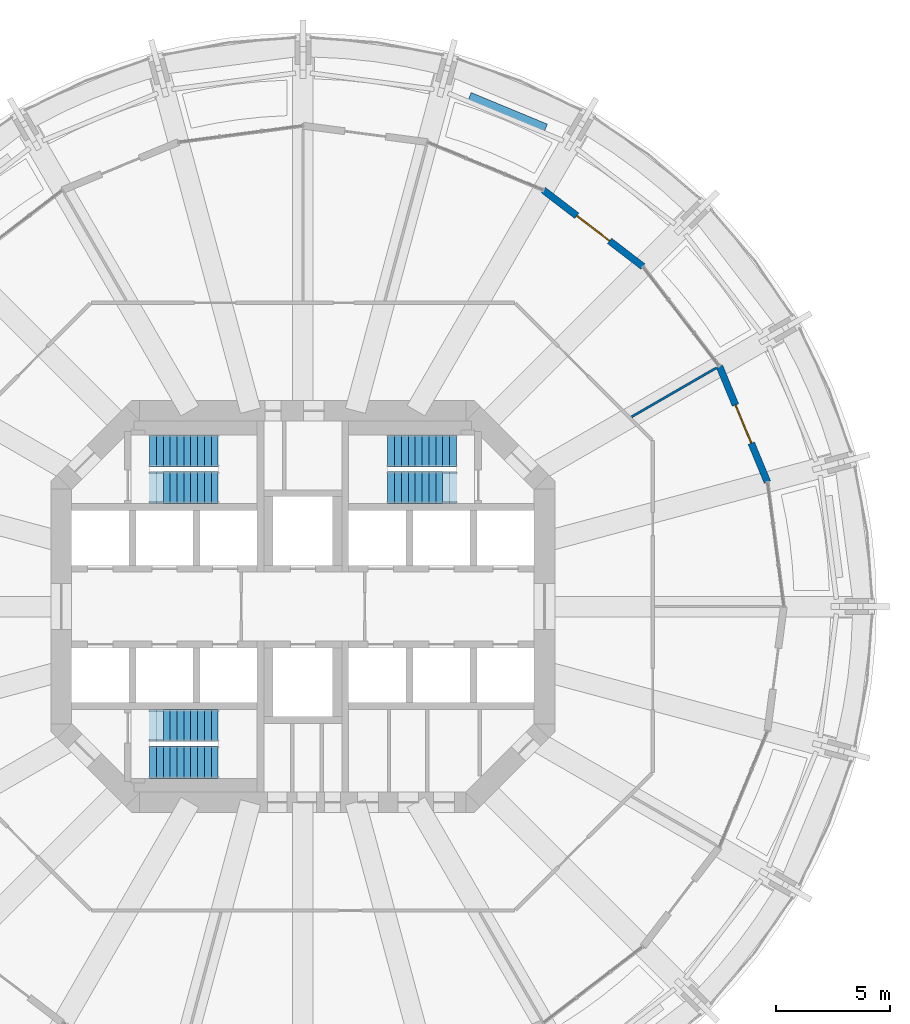
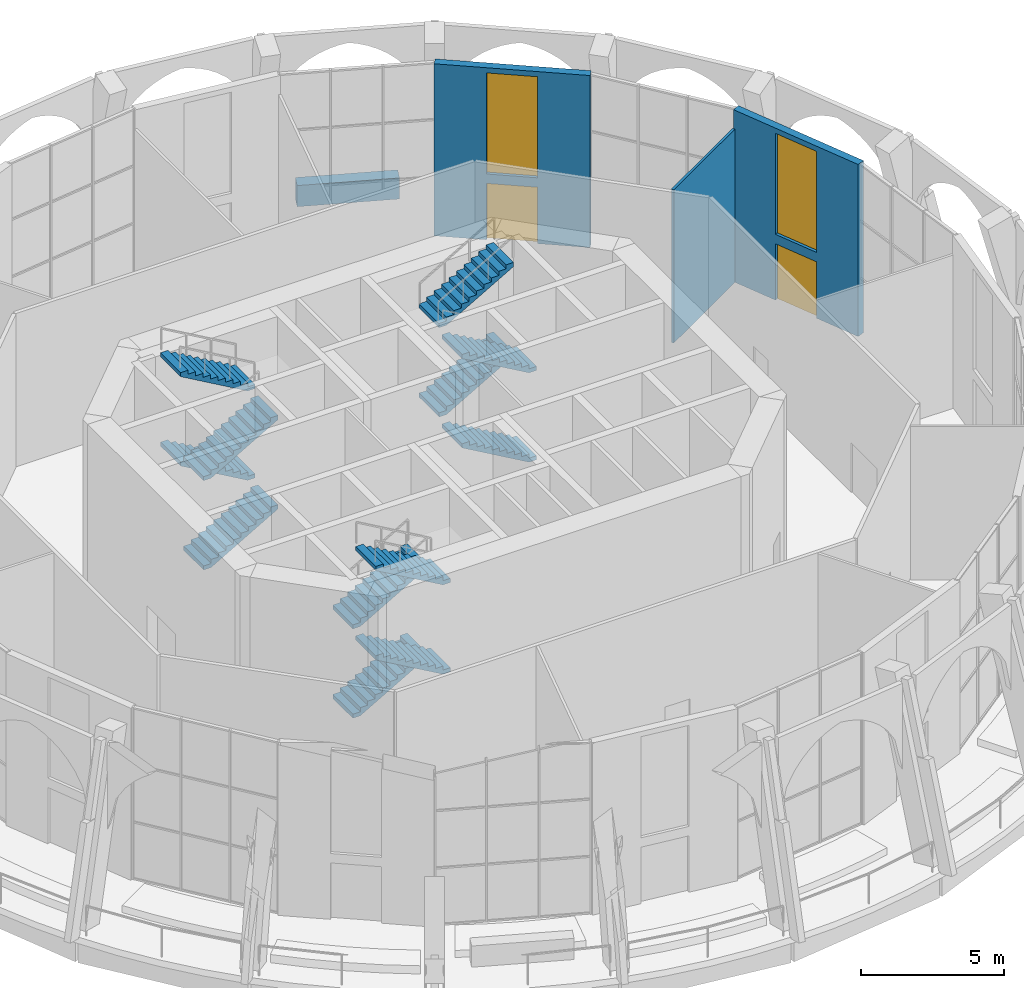
# One storey, part 15 of 18: 12 stair flights, 4 walls, 2 doors, 2 windows, 4 openings, 3 elements without a shape of their own.
"""IFC4 building model written with IfcOpenShell, lengths in metres."""

from ifc_helpers import new_model, si_unit, direction, frame, frame_2d, origin, place, context, subcontext, project, spatial, polyline, rectangle, outline, extrude, material, layer, layer_set, type_object, element, fill, aggregate, save


model = new_model("IFC4")

# Units and contexts
model_context = context("Model", 3, precision=1e-05, world=origin(), true_north=direction((0.0, 1.0)))
body_context = subcontext(model_context, "Body", "Model", "MODEL_VIEW")
ifc_project = project(units=[si_unit("LENGTHUNIT", "METRE"), si_unit("AREAUNIT", "SQUARE_METRE"), si_unit("VOLUMEUNIT", "CUBIC_METRE"), si_unit("PLANEANGLEUNIT", "RADIAN"), si_unit("MASSUNIT", "GRAM", prefix="KILO")], contexts=[model_context])

# Site, building, storey
site_placement = place(None, origin())
site = spatial("IfcSite", under=ifc_project, at=site_placement, CompositionType="ELEMENT")
building_placement = place(site_placement, origin())
building = spatial("IfcBuilding", under=site, at=building_placement, Name="Torre Triforio", CompositionType="ELEMENT")
storey_placement = place(building_placement, frame((0.0, 0.0, 146.60009765625)))
storey = spatial("IfcBuildingStorey", under=building, at=storey_placement, Name="L33", CompositionType="ELEMENT", Elevation=146.60009765625)

# Walls
ifc_material_1 = material(Name="Plasterboard on metal studs")
ifc_layer_1 = layer(ifc_material_1, 0.10009765625)
ifc_layer_set_1 = layer_set([ifc_layer_1], Name="Plasterboard on metal studs")
wall_type_1 = type_object("IfcWallType", Name="Partition 100 mm board on metal studs", PredefinedType="PARTITIONING", material=ifc_layer_set_1)
wall_1_placement = place(storey_placement, frame((14.356201171875, 8.28857421875, 0.0), z_axis=(0.0, 0.0, 1.0), x_axis=(0.866019511163, 0.500010206181, 0.0)))
element("IfcWall", 1, at=wall_1_placement, inside=storey, type_object=wall_type_1, Name="Partition 10", PredefinedType="PARTITIONING", context=body_context, shape_type="SweptSolid", body=[
    extrude(rectangle(XDim=4.259765625, YDim=0.10009765625, at=frame_2d((2.1298828125, 0.0))), origin(), (0.0, 0.0, 1.0), 6.52001953125),
])
ifc_material_2 = material(Name="Limestone cladding", Category="masonry")
ifc_layer_2 = layer(ifc_material_2, 0.10009765625)
ifc_material_3 = material(Name="Concrete C40", Category="concrete")
ifc_layer_3 = layer(ifc_material_3, 0.39990234375)
ifc_layer_set_2 = layer_set([ifc_layer_2, ifc_layer_3], Name="Limestone cladding / Concrete C40")
wall_type_2 = type_object("IfcWallType", Name="Planter wall 500", PredefinedType="PARAPET", material=ifc_layer_set_2)
wall_2_placement = place(storey_placement, frame((10.57958984375, 20.837646484375, 0.0), z_axis=(0.0, 0.0, 1.0), x_axis=(-0.923909393783, 0.382611332921, 0.0)))
element("IfcWall", 2, at=wall_2_placement, inside=storey, type_object=wall_type_2, Name="Planter L33 bay 05", PredefinedType="PARAPET", context=body_context, shape_type="SweptSolid", body=[
    extrude(rectangle(XDim=3.60009765625, YDim=0.5, at=frame_2d((1.800048828125, 0.0))), origin(), (0.0, 0.0, 1.0), 0.89990234375),
])

# Wall, openings, window, door
ifc_layer_4 = layer(ifc_material_2, 0.10009765625)
ifc_layer_5 = layer(ifc_material_3, 0.199951171875)
ifc_layer_set_3 = layer_set([ifc_layer_4, ifc_layer_5], Name="Limestone cladding / Concrete C40")
wall_type_3 = type_object("IfcWallType", Name="Stone-faced composite wall 300", PredefinedType="STANDARD", material=ifc_layer_set_3)
wall_3_placement = place(storey_placement, frame((20.284423828125, 5.435302734375, 0.0), z_axis=(0.0, 0.0, 1.0), x_axis=(-0.382688740813, 0.923877333662, 0.0)))
wall_3 = element("IfcWall", 3, at=wall_3_placement, inside=storey, type_object=wall_type_3, Name="External wall L33 bay 02", PredefinedType="STANDARD", context=body_context, shape_type="SweptSolid", body=[
    extrude(rectangle(XDim=5.48193359375, YDim=0.300048828125, at=frame_2d((2.740966796875, 0.0))), origin(), (0.0, 0.0, 1.0), 7.31982421875),
])
opening_1_placement = place(wall_3_placement, frame((1.841064453125, 0.0, 0.0)))
opening_1 = element("IfcOpeningElement", 4, at=opening_1_placement, cuts=wall_3, Name="Opening G2-D02", PredefinedType="OPENING", context=body_context, shape_type="SweptSolid", body=[
    extrude(rectangle(XDim=1.800048828125, YDim=2.39990234375, at=frame_2d((0.89990234375, 1.199951171875))), frame((0.0, 0.159912109375, 0.0), z_axis=(0.0, -1.0, 0.0), x_axis=(1.0, 0.0, 0.0)), (0.0, 0.0, 1.0), 0.320068359375),
])
opening_2_placement = place(wall_3_placement, frame((1.841064453125, 0.0, 2.800048828125)))
opening_2 = element("IfcOpeningElement", 5, at=opening_2_placement, cuts=wall_3, Name="Opening G2-W02", PredefinedType="OPENING", context=body_context, shape_type="SweptSolid", body=[
    extrude(rectangle(XDim=1.800048828125, YDim=4.300048828125, at=frame_2d((0.89990234375, 2.14990234375))), frame((0.0, 0.159912109375, 0.0), z_axis=(0.0, -1.0, 0.0), x_axis=(1.0, 0.0, 0.0)), (0.0, 0.0, 1.0), 0.320068359375),
])
ifc_material_4 = material(Name="Aluminium frame with clear double glazing", Category="aluminium")
window_type = type_object("IfcWindowType", Name="Garden clerestory window 1800 x 4300", PartitioningType="DOUBLE_PANEL_VERTICAL", PredefinedType="WINDOW", material=ifc_material_4)
window_1_placement = place(opening_2_placement, origin())
window_1 = element("IfcWindow", 6, at=window_1_placement, inside=storey, type_object=window_type, Name="Clerestory EWN21 L33 bay 02", OverallHeight=4.300048828125, OverallWidth=1.800048828125, PartitioningType="SINGLE_PANEL", PredefinedType="WINDOW", context=body_context, shape_type="SweptSolid", body=[
    extrude(rectangle(XDim=1.800048828125, YDim=4.300048828125, at=frame_2d((0.89990234375, 2.14990234375))), frame((0.0, 0.030029296875, 0.0), z_axis=(0.0, -1.0, 0.0), x_axis=(1.0, 0.0, 0.0)), (0.0, 0.0, 1.0), 0.06005859375),
])
fill(opening_2, window_1)
door_type = type_object("IfcDoorType", Name="Terrace double door 1800 x 2400", OperationType="DOUBLE_DOOR_SINGLE_SWING", PredefinedType="DOOR", material=ifc_material_4)
door_1_placement = place(opening_1_placement, origin())
door_1 = element("IfcDoor", 7, at=door_1_placement, inside=storey, type_object=door_type, Name="Terrace door L33 bay 02", OperationType="SINGLE_SWING_LEFT", OverallHeight=2.39990234375, OverallWidth=1.800048828125, PredefinedType="DOOR", context=body_context, shape_type="SweptSolid", body=[
    extrude(rectangle(XDim=1.800048828125, YDim=2.39990234375, at=frame_2d((0.89990234375, 1.199951171875))), frame((0.0, 0.02490234375, 0.0), z_axis=(0.0, -1.0, 0.0), x_axis=(1.0, 0.0, 0.0)), (0.0, 0.0, 1.0), 0.050048828125),
])
fill(opening_1, door_1)

wall_4_placement = place(storey_placement, frame((14.84912109375, 14.84912109375, 0.0), z_axis=(0.0, 0.0, 1.0), x_axis=(-0.793335336593, 0.608784891166, 0.0)))
wall_4 = element("IfcWall", 8, at=wall_4_placement, inside=storey, type_object=wall_type_3, Name="External wall L33 bay 04", PredefinedType="STANDARD", context=body_context, shape_type="SweptSolid", body=[
    extrude(rectangle(XDim=5.482177734375, YDim=0.300048828125, at=frame_2d((2.7412109375, 0.0))), origin(), (0.0, 0.0, 1.0), 7.31982421875),
])
opening_3_placement = place(wall_4_placement, frame((1.841064453125, 0.0, 0.0)))
opening_3 = element("IfcOpeningElement", 9, at=opening_3_placement, cuts=wall_4, Name="Opening G2-D04", PredefinedType="OPENING", context=body_context, shape_type="SweptSolid", body=[
    extrude(rectangle(XDim=1.800048828125, YDim=2.39990234375, at=frame_2d((0.89990234375, 1.199951171875))), frame((0.0, 0.159912109375, 0.0), z_axis=(0.0, -1.0, 0.0), x_axis=(1.0, 0.0, 0.0)), (0.0, 0.0, 1.0), 0.320068359375),
])
opening_4_placement = place(wall_4_placement, frame((1.841064453125, 0.0, 2.800048828125)))
opening_4 = element("IfcOpeningElement", 10, at=opening_4_placement, cuts=wall_4, Name="Opening G2-W04", PredefinedType="OPENING", context=body_context, shape_type="SweptSolid", body=[
    extrude(rectangle(XDim=1.800048828125, YDim=4.300048828125, at=frame_2d((0.89990234375, 2.14990234375))), frame((0.0, 0.159912109375, 0.0), z_axis=(0.0, -1.0, 0.0), x_axis=(1.0, 0.0, 0.0)), (0.0, 0.0, 1.0), 0.320068359375),
])
window_2_placement = place(opening_4_placement, origin())
window_2 = element("IfcWindow", 11, at=window_2_placement, inside=storey, type_object=window_type, Name="Clerestory EWN21 L33 bay 04", OverallHeight=4.300048828125, OverallWidth=1.800048828125, PartitioningType="SINGLE_PANEL", PredefinedType="WINDOW", context=body_context, shape_type="SweptSolid", body=[
    extrude(rectangle(XDim=1.800048828125, YDim=4.300048828125, at=frame_2d((0.89990234375, 2.14990234375))), frame((0.0, 0.030029296875, 0.0), z_axis=(0.0, -1.0, 0.0), x_axis=(1.0, 0.0, 0.0)), (0.0, 0.0, 1.0), 0.06005859375),
])
fill(opening_4, window_2)
door_2_placement = place(opening_3_placement, origin())
door_2 = element("IfcDoor", 12, at=door_2_placement, inside=storey, type_object=door_type, Name="Terrace door L33 bay 04", OperationType="SINGLE_SWING_LEFT", OverallHeight=2.39990234375, OverallWidth=1.800048828125, PredefinedType="DOOR", context=body_context, shape_type="SweptSolid", body=[
    extrude(rectangle(XDim=1.800048828125, YDim=2.39990234375, at=frame_2d((0.89990234375, 1.199951171875))), frame((0.0, 0.02490234375, 0.0), z_axis=(0.0, -1.0, 0.0), x_axis=(1.0, 0.0, 0.0)), (0.0, 0.0, 1.0), 0.050048828125),
])
fill(opening_3, door_2)

# Stair, stair flights
stair_type = type_object("IfcStairType", Name="STAIR DOUBLE RETURN", PredefinedType="DOUBLE_RETURN_STAIR", material=ifc_material_3)
stair_1_placement = place(storey_placement, origin())
stair_1 = element("IfcStair", 13, at=stair_1_placement, inside=storey, type_object=stair_type, Name="Exit stair 1", PredefinedType="DOUBLE_RETURN_STAIR")
stair_flight_type = type_object("IfcStairFlightType", Name="STAIR FLIGHT 1400", PredefinedType="STRAIGHT", material=ifc_material_3)
stair_flight_1_placement = place(storey_placement, frame((-6.699951171875, 5.199951171875, 0.0), z_axis=(0.0, 0.0, 1.0), x_axis=(1.0, 0.0, 0.0)))
stair_flight_1 = element("IfcStairFlight", 14, at=stair_flight_1_placement, type_object=stair_flight_type, Name="ST1 flight 1", NumberOfRisers=11, NumberOfTreads=10, PredefinedType="STRAIGHT", RiserHeight=0.172727273, TreadLength=0.3, context=body_context, shape_type="SweptSolid", body=[
    extrude(outline(polyline([(0.0, 0.0), (0.0, 0.172607421875), (0.300048828125, 0.172607421875), (0.300048828125, 0.345458984375), (0.60009765625, 0.345458984375), (0.60009765625, 0.51806640625), (0.89990234375, 0.51806640625), (0.89990234375, 0.69091796875), (1.199951171875, 0.69091796875), (1.199951171875, 0.863525390625), (1.5, 0.863525390625), (1.5, 1.036376953125), (1.800048828125, 1.036376953125), (1.800048828125, 1.208984375), (2.10009765625, 1.208984375), (2.10009765625, 1.3818359375), (2.39990234375, 1.3818359375), (2.39990234375, 1.554443359375), (2.699951171875, 1.554443359375), (2.699951171875, 1.727294921875), (3.0, 1.727294921875), (3.0, 1.89990234375), (3.0, 1.55419921875), (0.300537109375, 0.0), (0.0, 0.0)])), frame((0.0, 0.699951171875, 0.0), z_axis=(0.0, -1.0, 0.0), x_axis=(1.0, 0.0, 0.0)), (0.0, 0.0, 1.0), 1.39990234375),
])
stair_flight_2_placement = place(storey_placement, frame((-3.699951171875, 6.800048828125, 1.89990234375), z_axis=(0.0, 0.0, 1.0), x_axis=(-1.0, 0.0, 0.0)))
stair_flight_2 = element("IfcStairFlight", 15, at=stair_flight_2_placement, type_object=stair_flight_type, Name="ST1 flight 2", NumberOfRisers=11, NumberOfTreads=10, PredefinedType="STRAIGHT", RiserHeight=0.172727273, TreadLength=0.3, context=body_context, shape_type="SweptSolid", body=[
    extrude(outline(polyline([(0.0, 0.0), (0.0, 0.172607421875), (0.300048828125, 0.172607421875), (0.300048828125, 0.345458984375), (0.60009765625, 0.345458984375), (0.60009765625, 0.51806640625), (0.89990234375, 0.51806640625), (0.89990234375, 0.69091796875), (1.199951171875, 0.69091796875), (1.199951171875, 0.863525390625), (1.5, 0.863525390625), (1.5, 1.036376953125), (1.800048828125, 1.036376953125), (1.800048828125, 1.208984375), (2.10009765625, 1.208984375), (2.10009765625, 1.3818359375), (2.39990234375, 1.3818359375), (2.39990234375, 1.554443359375), (2.699951171875, 1.554443359375), (2.699951171875, 1.727294921875), (3.0, 1.727294921875), (3.0, 1.89990234375), (3.0, 1.55419921875), (0.300537109375, 0.0), (0.0, 0.0)])), frame((0.0, 0.699951171875, 0.0), z_axis=(0.0, -1.0, 0.0), x_axis=(1.0, 0.0, 0.0)), (0.0, 0.0, 1.0), 1.39990234375),
])
stair_flight_3_placement = place(storey_placement, frame((-6.699951171875, 5.199951171875, 3.7998046875), z_axis=(0.0, 0.0, 1.0), x_axis=(1.0, 0.0, 0.0)))
stair_flight_3 = element("IfcStairFlight", 16, at=stair_flight_3_placement, type_object=stair_flight_type, Name="ST1 flight 3", NumberOfRisers=11, NumberOfTreads=10, PredefinedType="STRAIGHT", RiserHeight=0.172727273, TreadLength=0.3, context=body_context, shape_type="SweptSolid", body=[
    extrude(outline(polyline([(0.0, 0.0), (0.0, 0.172607421875), (0.300048828125, 0.172607421875), (0.300048828125, 0.345458984375), (0.60009765625, 0.345458984375), (0.60009765625, 0.51806640625), (0.89990234375, 0.51806640625), (0.89990234375, 0.69091796875), (1.199951171875, 0.69091796875), (1.199951171875, 0.863525390625), (1.5, 0.863525390625), (1.5, 1.036376953125), (1.800048828125, 1.036376953125), (1.800048828125, 1.208984375), (2.10009765625, 1.208984375), (2.10009765625, 1.3818359375), (2.39990234375, 1.3818359375), (2.39990234375, 1.554443359375), (2.699951171875, 1.554443359375), (2.699951171875, 1.727294921875), (3.0, 1.727294921875), (3.0, 1.89990234375), (3.0, 1.55419921875), (0.300537109375, 0.0), (0.0, 0.0)])), frame((0.0, 0.699951171875, 0.0), z_axis=(0.0, -1.0, 0.0), x_axis=(1.0, 0.0, 0.0)), (0.0, 0.0, 1.0), 1.39990234375),
])
stair_flight_4_placement = place(storey_placement, frame((-3.699951171875, 6.800048828125, 5.699951171875), z_axis=(0.0, 0.0, 1.0), x_axis=(-1.0, 0.0, 0.0)))
stair_flight_4 = element("IfcStairFlight", 17, at=stair_flight_4_placement, type_object=stair_flight_type, Name="ST1 flight 4", NumberOfRisers=11, NumberOfTreads=10, PredefinedType="STRAIGHT", RiserHeight=0.172727273, TreadLength=0.3, context=body_context, shape_type="SweptSolid", body=[
    extrude(outline(polyline([(0.0, 0.0), (0.0, 0.172607421875), (0.300048828125, 0.172607421875), (0.300048828125, 0.345458984375), (0.60009765625, 0.345458984375), (0.60009765625, 0.51806640625), (0.89990234375, 0.51806640625), (0.89990234375, 0.69091796875), (1.199951171875, 0.69091796875), (1.199951171875, 0.863525390625), (1.5, 0.863525390625), (1.5, 1.036376953125), (1.800048828125, 1.036376953125), (1.800048828125, 1.208984375), (2.10009765625, 1.208984375), (2.10009765625, 1.3818359375), (2.39990234375, 1.3818359375), (2.39990234375, 1.554443359375), (2.699951171875, 1.554443359375), (2.699951171875, 1.727294921875), (3.0, 1.727294921875), (3.0, 1.89990234375), (3.0, 1.55419921875), (0.300537109375, 0.0), (0.0, 0.0)])), frame((0.0, 0.699951171875, 0.0), z_axis=(0.0, -1.0, 0.0), x_axis=(1.0, 0.0, 0.0)), (0.0, 0.0, 1.0), 1.39990234375),
])
aggregate(stair_1, [stair_flight_1, stair_flight_2, stair_flight_3, stair_flight_4])

stair_2_placement = place(storey_placement, origin())
stair_2 = element("IfcStair", 18, at=stair_2_placement, inside=storey, type_object=stair_type, Name="Exit stair 2", PredefinedType="DOUBLE_RETURN_STAIR")
stair_flight_5_placement = place(storey_placement, frame((6.699951171875, 5.199951171875, 0.0), z_axis=(0.0, 0.0, 1.0), x_axis=(-1.0, 0.0, 0.0)))
stair_flight_5 = element("IfcStairFlight", 19, at=stair_flight_5_placement, type_object=stair_flight_type, Name="ST2 flight 1", NumberOfRisers=11, NumberOfTreads=10, PredefinedType="STRAIGHT", RiserHeight=0.172727273, TreadLength=0.3, context=body_context, shape_type="SweptSolid", body=[
    extrude(outline(polyline([(0.0, 0.0), (0.0, 0.172607421875), (0.300048828125, 0.172607421875), (0.300048828125, 0.345458984375), (0.60009765625, 0.345458984375), (0.60009765625, 0.51806640625), (0.89990234375, 0.51806640625), (0.89990234375, 0.69091796875), (1.199951171875, 0.69091796875), (1.199951171875, 0.863525390625), (1.5, 0.863525390625), (1.5, 1.036376953125), (1.800048828125, 1.036376953125), (1.800048828125, 1.208984375), (2.10009765625, 1.208984375), (2.10009765625, 1.3818359375), (2.39990234375, 1.3818359375), (2.39990234375, 1.554443359375), (2.699951171875, 1.554443359375), (2.699951171875, 1.727294921875), (3.0, 1.727294921875), (3.0, 1.89990234375), (3.0, 1.55419921875), (0.300537109375, 0.0), (0.0, 0.0)])), frame((0.0, 0.699951171875, 0.0), z_axis=(0.0, -1.0, 0.0), x_axis=(1.0, 0.0, 0.0)), (0.0, 0.0, 1.0), 1.39990234375),
])
stair_flight_6_placement = place(storey_placement, frame((3.699951171875, 6.800048828125, 1.89990234375), z_axis=(0.0, 0.0, 1.0), x_axis=(1.0, 0.0, 0.0)))
stair_flight_6 = element("IfcStairFlight", 20, at=stair_flight_6_placement, type_object=stair_flight_type, Name="ST2 flight 2", NumberOfRisers=11, NumberOfTreads=10, PredefinedType="STRAIGHT", RiserHeight=0.172727273, TreadLength=0.3, context=body_context, shape_type="SweptSolid", body=[
    extrude(outline(polyline([(0.0, 0.0), (0.0, 0.172607421875), (0.300048828125, 0.172607421875), (0.300048828125, 0.345458984375), (0.60009765625, 0.345458984375), (0.60009765625, 0.51806640625), (0.89990234375, 0.51806640625), (0.89990234375, 0.69091796875), (1.199951171875, 0.69091796875), (1.199951171875, 0.863525390625), (1.5, 0.863525390625), (1.5, 1.036376953125), (1.800048828125, 1.036376953125), (1.800048828125, 1.208984375), (2.10009765625, 1.208984375), (2.10009765625, 1.3818359375), (2.39990234375, 1.3818359375), (2.39990234375, 1.554443359375), (2.699951171875, 1.554443359375), (2.699951171875, 1.727294921875), (3.0, 1.727294921875), (3.0, 1.89990234375), (3.0, 1.55419921875), (0.300537109375, 0.0), (0.0, 0.0)])), frame((0.0, 0.699951171875, 0.0), z_axis=(0.0, -1.0, 0.0), x_axis=(1.0, 0.0, 0.0)), (0.0, 0.0, 1.0), 1.39990234375),
])
stair_flight_7_placement = place(storey_placement, frame((6.699951171875, 5.199951171875, 3.7998046875), z_axis=(0.0, 0.0, 1.0), x_axis=(-1.0, 0.0, 0.0)))
stair_flight_7 = element("IfcStairFlight", 21, at=stair_flight_7_placement, type_object=stair_flight_type, Name="ST2 flight 3", NumberOfRisers=11, NumberOfTreads=10, PredefinedType="STRAIGHT", RiserHeight=0.172727273, TreadLength=0.3, context=body_context, shape_type="SweptSolid", body=[
    extrude(outline(polyline([(0.0, 0.0), (0.0, 0.172607421875), (0.300048828125, 0.172607421875), (0.300048828125, 0.345458984375), (0.60009765625, 0.345458984375), (0.60009765625, 0.51806640625), (0.89990234375, 0.51806640625), (0.89990234375, 0.69091796875), (1.199951171875, 0.69091796875), (1.199951171875, 0.863525390625), (1.5, 0.863525390625), (1.5, 1.036376953125), (1.800048828125, 1.036376953125), (1.800048828125, 1.208984375), (2.10009765625, 1.208984375), (2.10009765625, 1.3818359375), (2.39990234375, 1.3818359375), (2.39990234375, 1.554443359375), (2.699951171875, 1.554443359375), (2.699951171875, 1.727294921875), (3.0, 1.727294921875), (3.0, 1.89990234375), (3.0, 1.55419921875), (0.300537109375, 0.0), (0.0, 0.0)])), frame((0.0, 0.699951171875, 0.0), z_axis=(0.0, -1.0, 0.0), x_axis=(1.0, 0.0, 0.0)), (0.0, 0.0, 1.0), 1.39990234375),
])
stair_flight_8_placement = place(storey_placement, frame((3.699951171875, 6.800048828125, 5.699951171875), z_axis=(0.0, 0.0, 1.0), x_axis=(1.0, 0.0, 0.0)))
stair_flight_8 = element("IfcStairFlight", 22, at=stair_flight_8_placement, type_object=stair_flight_type, Name="ST2 flight 4", NumberOfRisers=11, NumberOfTreads=10, PredefinedType="STRAIGHT", RiserHeight=0.172727273, TreadLength=0.3, context=body_context, shape_type="SweptSolid", body=[
    extrude(outline(polyline([(0.0, 0.0), (0.0, 0.172607421875), (0.300048828125, 0.172607421875), (0.300048828125, 0.345458984375), (0.60009765625, 0.345458984375), (0.60009765625, 0.51806640625), (0.89990234375, 0.51806640625), (0.89990234375, 0.69091796875), (1.199951171875, 0.69091796875), (1.199951171875, 0.863525390625), (1.5, 0.863525390625), (1.5, 1.036376953125), (1.800048828125, 1.036376953125), (1.800048828125, 1.208984375), (2.10009765625, 1.208984375), (2.10009765625, 1.3818359375), (2.39990234375, 1.3818359375), (2.39990234375, 1.554443359375), (2.699951171875, 1.554443359375), (2.699951171875, 1.727294921875), (3.0, 1.727294921875), (3.0, 1.89990234375), (3.0, 1.55419921875), (0.300537109375, 0.0), (0.0, 0.0)])), frame((0.0, 0.699951171875, 0.0), z_axis=(0.0, -1.0, 0.0), x_axis=(1.0, 0.0, 0.0)), (0.0, 0.0, 1.0), 1.39990234375),
])
aggregate(stair_2, [stair_flight_5, stair_flight_6, stair_flight_7, stair_flight_8])

stair_3_placement = place(storey_placement, origin())
stair_3 = element("IfcStair", 23, at=stair_3_placement, inside=storey, type_object=stair_type, Name="Exit stair 3", PredefinedType="DOUBLE_RETURN_STAIR")
stair_flight_9_placement = place(storey_placement, frame((-6.699951171875, -5.199951171875, 0.0), z_axis=(0.0, 0.0, 1.0), x_axis=(1.0, 0.0, 0.0)))
stair_flight_9 = element("IfcStairFlight", 24, at=stair_flight_9_placement, type_object=stair_flight_type, Name="ST3 flight 1", NumberOfRisers=11, NumberOfTreads=10, PredefinedType="STRAIGHT", RiserHeight=0.172727273, TreadLength=0.3, context=body_context, shape_type="SweptSolid", body=[
    extrude(outline(polyline([(0.0, 0.0), (0.0, 0.172607421875), (0.300048828125, 0.172607421875), (0.300048828125, 0.345458984375), (0.60009765625, 0.345458984375), (0.60009765625, 0.51806640625), (0.89990234375, 0.51806640625), (0.89990234375, 0.69091796875), (1.199951171875, 0.69091796875), (1.199951171875, 0.863525390625), (1.5, 0.863525390625), (1.5, 1.036376953125), (1.800048828125, 1.036376953125), (1.800048828125, 1.208984375), (2.10009765625, 1.208984375), (2.10009765625, 1.3818359375), (2.39990234375, 1.3818359375), (2.39990234375, 1.554443359375), (2.699951171875, 1.554443359375), (2.699951171875, 1.727294921875), (3.0, 1.727294921875), (3.0, 1.89990234375), (3.0, 1.55419921875), (0.300537109375, 0.0), (0.0, 0.0)])), frame((0.0, 0.699951171875, 0.0), z_axis=(0.0, -1.0, 0.0), x_axis=(1.0, 0.0, 0.0)), (0.0, 0.0, 1.0), 1.39990234375),
])
stair_flight_10_placement = place(storey_placement, frame((-3.699951171875, -6.800048828125, 1.89990234375), z_axis=(0.0, 0.0, 1.0), x_axis=(-1.0, 0.0, 0.0)))
stair_flight_10 = element("IfcStairFlight", 25, at=stair_flight_10_placement, type_object=stair_flight_type, Name="ST3 flight 2", NumberOfRisers=11, NumberOfTreads=10, PredefinedType="STRAIGHT", RiserHeight=0.172727273, TreadLength=0.3, context=body_context, shape_type="SweptSolid", body=[
    extrude(outline(polyline([(0.0, 0.0), (0.0, 0.172607421875), (0.300048828125, 0.172607421875), (0.300048828125, 0.345458984375), (0.60009765625, 0.345458984375), (0.60009765625, 0.51806640625), (0.89990234375, 0.51806640625), (0.89990234375, 0.69091796875), (1.199951171875, 0.69091796875), (1.199951171875, 0.863525390625), (1.5, 0.863525390625), (1.5, 1.036376953125), (1.800048828125, 1.036376953125), (1.800048828125, 1.208984375), (2.10009765625, 1.208984375), (2.10009765625, 1.3818359375), (2.39990234375, 1.3818359375), (2.39990234375, 1.554443359375), (2.699951171875, 1.554443359375), (2.699951171875, 1.727294921875), (3.0, 1.727294921875), (3.0, 1.89990234375), (3.0, 1.55419921875), (0.300537109375, 0.0), (0.0, 0.0)])), frame((0.0, 0.699951171875, 0.0), z_axis=(0.0, -1.0, 0.0), x_axis=(1.0, 0.0, 0.0)), (0.0, 0.0, 1.0), 1.39990234375),
])
stair_flight_11_placement = place(storey_placement, frame((-6.699951171875, -5.199951171875, 3.7998046875), z_axis=(0.0, 0.0, 1.0), x_axis=(1.0, 0.0, 0.0)))
stair_flight_11 = element("IfcStairFlight", 26, at=stair_flight_11_placement, type_object=stair_flight_type, Name="ST3 flight 3", NumberOfRisers=11, NumberOfTreads=10, PredefinedType="STRAIGHT", RiserHeight=0.172727273, TreadLength=0.3, context=body_context, shape_type="SweptSolid", body=[
    extrude(outline(polyline([(0.0, 0.0), (0.0, 0.172607421875), (0.300048828125, 0.172607421875), (0.300048828125, 0.345458984375), (0.60009765625, 0.345458984375), (0.60009765625, 0.51806640625), (0.89990234375, 0.51806640625), (0.89990234375, 0.69091796875), (1.199951171875, 0.69091796875), (1.199951171875, 0.863525390625), (1.5, 0.863525390625), (1.5, 1.036376953125), (1.800048828125, 1.036376953125), (1.800048828125, 1.208984375), (2.10009765625, 1.208984375), (2.10009765625, 1.3818359375), (2.39990234375, 1.3818359375), (2.39990234375, 1.554443359375), (2.699951171875, 1.554443359375), (2.699951171875, 1.727294921875), (3.0, 1.727294921875), (3.0, 1.89990234375), (3.0, 1.55419921875), (0.300537109375, 0.0), (0.0, 0.0)])), frame((0.0, 0.699951171875, 0.0), z_axis=(0.0, -1.0, 0.0), x_axis=(1.0, 0.0, 0.0)), (0.0, 0.0, 1.0), 1.39990234375),
])
stair_flight_12_placement = place(storey_placement, frame((-3.699951171875, -6.800048828125, 5.699951171875), z_axis=(0.0, 0.0, 1.0), x_axis=(-1.0, 0.0, 0.0)))
stair_flight_12 = element("IfcStairFlight", 27, at=stair_flight_12_placement, type_object=stair_flight_type, Name="ST3 flight 4", NumberOfRisers=11, NumberOfTreads=10, PredefinedType="STRAIGHT", RiserHeight=0.172727273, TreadLength=0.3, context=body_context, shape_type="SweptSolid", body=[
    extrude(outline(polyline([(0.0, 0.0), (0.0, 0.172607421875), (0.300048828125, 0.172607421875), (0.300048828125, 0.345458984375), (0.60009765625, 0.345458984375), (0.60009765625, 0.51806640625), (0.89990234375, 0.51806640625), (0.89990234375, 0.69091796875), (1.199951171875, 0.69091796875), (1.199951171875, 0.863525390625), (1.5, 0.863525390625), (1.5, 1.036376953125), (1.800048828125, 1.036376953125), (1.800048828125, 1.208984375), (2.10009765625, 1.208984375), (2.10009765625, 1.3818359375), (2.39990234375, 1.3818359375), (2.39990234375, 1.554443359375), (2.699951171875, 1.554443359375), (2.699951171875, 1.727294921875), (3.0, 1.727294921875), (3.0, 1.89990234375), (3.0, 1.55419921875), (0.300537109375, 0.0), (0.0, 0.0)])), frame((0.0, 0.699951171875, 0.0), z_axis=(0.0, -1.0, 0.0), x_axis=(1.0, 0.0, 0.0)), (0.0, 0.0, 1.0), 1.39990234375),
])
aggregate(stair_3, [stair_flight_9, stair_flight_10, stair_flight_11, stair_flight_12])

save(model, "model.ifc")
